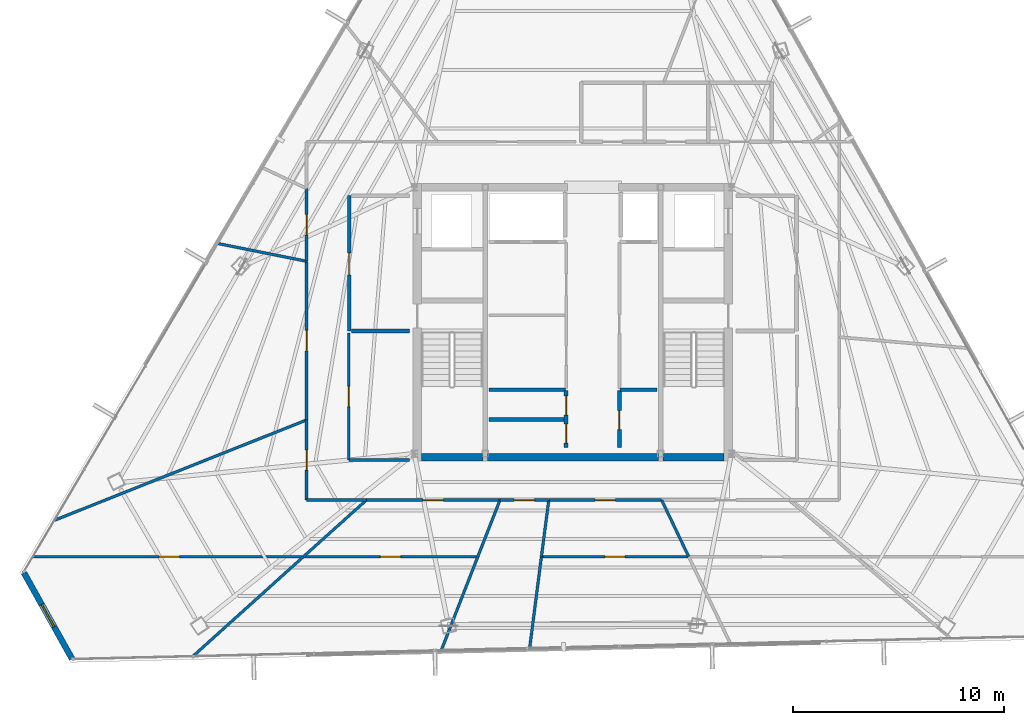
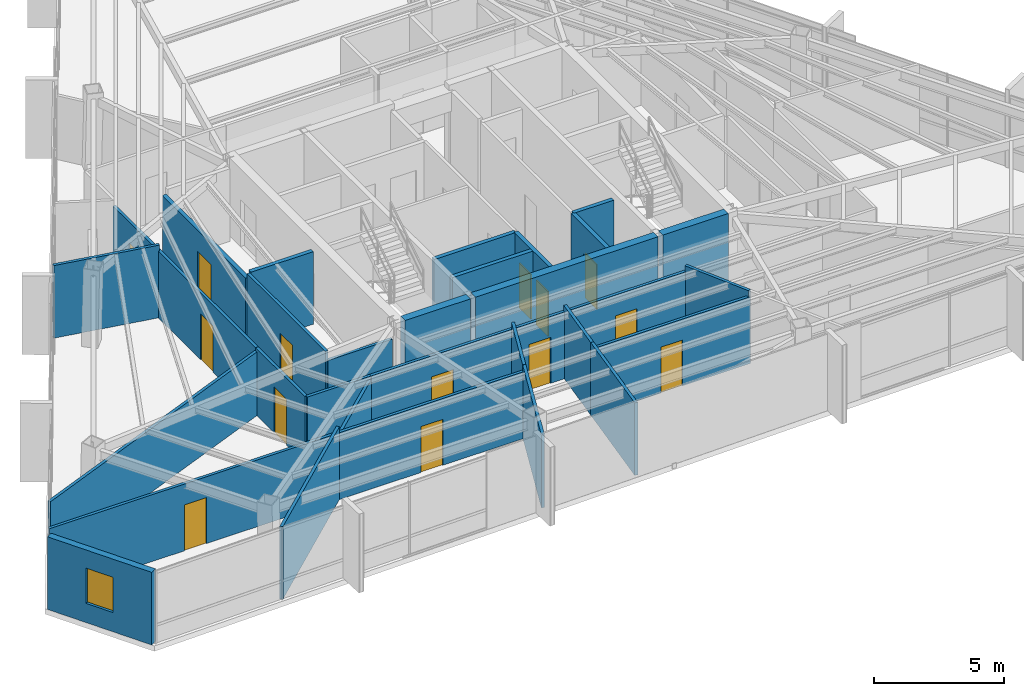
# One storey, part 41 of 46: 32 walls, 14 doors, 1 window, 15 openings.
"""IFC4 building model written with IfcOpenShell, lengths in metres."""

from ifc_helpers import new_model, si_unit, direction, frame, frame_2d, origin, place, context, subcontext, project, spatial, rectangle, extrude, material, layer, layer_set, type_object, element, fill, save


model = new_model("IFC4")

# Units and contexts
model_context = context("Model", 3, precision=1e-05, world=origin(), true_north=direction((0.0, 1.0)))
body_context = subcontext(model_context, "Body", "Model", "MODEL_VIEW")
ifc_project = project(units=[si_unit("LENGTHUNIT", "METRE"), si_unit("AREAUNIT", "SQUARE_METRE"), si_unit("VOLUMEUNIT", "CUBIC_METRE"), si_unit("PLANEANGLEUNIT", "RADIAN"), si_unit("MASSUNIT", "GRAM", prefix="KILO")], contexts=[model_context])

# Site, building, storey
site_placement = place(None, origin())
site = spatial("IfcSite", under=ifc_project, at=site_placement, CompositionType="ELEMENT")
building_placement = place(site_placement, origin())
building = spatial("IfcBuilding", under=site, at=building_placement, Name="Caelisora Broadcast Tower", CompositionType="ELEMENT")
storey_placement = place(building_placement, frame((0.0, 0.0, 251.75)))
storey = spatial("IfcBuildingStorey", under=building, at=storey_placement, Name="L66", CompositionType="ELEMENT", Elevation=251.75)

# Walls
ifc_material_1 = material(Name="Concrete 40 MPa (AS 3600 N40)", Category="concrete")
ifc_layer_1 = layer(ifc_material_1, 0.35009765625, Name="Concrete 40 MPa (AS 3600 N40)")
ifc_layer_set_1 = layer_set([ifc_layer_1], Name="Concrete 40 MPa (AS 3600 N40)")
wall_type_1 = type_object("IfcWallType", Name="CW6", PredefinedType="SHEAR", material=ifc_layer_set_1)
wall_1_placement = place(storey_placement, frame((30.840087890625, 17.22509765625, 0.0), z_axis=(0.0, 0.0, 1.0), x_axis=(1.0, 0.0, 0.0)))
element("IfcWall", 1, at=wall_1_placement, inside=storey, type_object=wall_type_1, Name="L66 core shear wall CW6", PredefinedType="SHEAR", context=body_context, shape_type="SweptSolid", body=[
    extrude(rectangle(XDim=2.89990234375, YDim=0.35009765625, at=frame_2d((1.449951171875, 0.0))), origin(), (0.0, 0.0, 1.0), 3.64990234375),
])
wall_2_placement = place(storey_placement, frame((33.9599609375, 17.22509765625, 0.0), z_axis=(0.0, 0.0, 1.0), x_axis=(1.0, 0.0, 0.0)))
element("IfcWall", 2, at=wall_2_placement, inside=storey, type_object=wall_type_1, Name="L66 core shear wall CW6", PredefinedType="SHEAR", context=body_context, shape_type="SweptSolid", body=[
    extrude(rectangle(XDim=8.080078125, YDim=0.35009765625, at=frame_2d((4.0400390625, 0.0))), origin(), (0.0, 0.0, 1.0), 3.64990234375),
])
wall_3_placement = place(storey_placement, frame((42.260009765625, 17.22509765625, 0.0), z_axis=(0.0, 0.0, 1.0), x_axis=(1.0, 0.0, 0.0)))
element("IfcWall", 3, at=wall_3_placement, inside=storey, type_object=wall_type_1, Name="L66 core shear wall CW6", PredefinedType="SHEAR", context=body_context, shape_type="SweptSolid", body=[
    extrude(rectangle(XDim=2.89990234375, YDim=0.35009765625, at=frame_2d((1.449951171875, 0.0))), origin(), (0.0, 0.0, 1.0), 3.64990234375),
])

# Wall, opening, window
ifc_material_2 = material(Name="Insulated Terracotta Spandrel Wall System", Category="masonry")
ifc_layer_2 = layer(ifc_material_2, 0.280029296875, Name="Insulated Terracotta Spandrel Wall System")
ifc_layer_set_2 = layer_set([ifc_layer_2], Name="Insulated Terracotta Spandrel Wall System")
wall_type_2 = type_object("IfcWallType", Name="EW1", PredefinedType="STANDARD", material=ifc_layer_set_2)
wall_4_placement = place(storey_placement, frame((14.29931640625, 7.69921875, 0.0), z_axis=(0.0, 0.0, 1.0), x_axis=(-0.488106092441, 0.872784304695, 0.0)))
wall_4 = element("IfcWall", 4, at=wall_4_placement, inside=storey, type_object=wall_type_2, Name="L66 exterior envelope wall EW1", PredefinedType="STANDARD", context=body_context, shape_type="SweptSolid", body=[
    extrude(rectangle(XDim=4.650146484375, YDim=0.280029296875, at=frame_2d((2.3251953125, 0.0))), origin(), (0.0, 0.0, 1.0), 3.39990234375),
])
opening_1_placement = place(wall_4_placement, frame((1.72998046875, 0.0, 0.89990234375)))
opening_1 = element("IfcOpeningElement", 5, at=opening_1_placement, cuts=wall_4, Name="Opening W03", PredefinedType="OPENING", context=body_context, shape_type="SweptSolid", body=[
    extrude(rectangle(XDim=1.199951171875, YDim=1.64990234375, at=frame_2d((0.60009765625, 0.824951171875))), frame((0.0, 0.152099609375, 0.0), z_axis=(0.0, -1.0, 0.0), x_axis=(1.0, 0.0, 0.0)), (0.0, 0.0, 1.0), 0.303955078125),
])
ifc_material_3 = material(Name="Double Glazed Corner Vision Window", Category="glass")
window_type = type_object("IfcWindowType", Name="W03", PartitioningType="SINGLE_PANEL", PredefinedType="WINDOW", material=ifc_material_3)
window_placement = place(opening_1_placement, origin())
window = element("IfcWindow", 6, at=window_placement, inside=storey, type_object=window_type, Name="L66 window W03 (L66-WN-CH4)", OverallHeight=1.64990234375, OverallWidth=1.199951171875, PartitioningType="SINGLE_PANEL", PredefinedType="WINDOW", context=body_context, shape_type="SweptSolid", body=[
    extrude(rectangle(XDim=1.199951171875, YDim=1.64990234375, at=frame_2d((0.60009765625, 0.824951171875))), frame((0.0, 0.030029296875, 0.0), z_axis=(0.0, -1.0, 0.0), x_axis=(1.0, 0.0, 0.0)), (0.0, 0.0, 1.0), 0.06005859375),
])
fill(opening_1, window)

# Wall, opening, door
ifc_material_4 = material(Name="Fire-Rated Gypsum Shaft and Compartment Wall", Category="gypsum")
ifc_layer_3 = layer(ifc_material_4, 0.179931640625, Name="Fire-Rated Gypsum Shaft and Compartment Wall")
ifc_layer_set_3 = layer_set([ifc_layer_3], Name="Fire-Rated Gypsum Shaft and Compartment Wall")
wall_type_3 = type_object("IfcWallType", Name="PW2", PredefinedType="PARTITIONING", material=ifc_layer_set_3)
wall_5_placement = place(storey_placement, frame((27.419921875, 23.199951171875, 0.0), z_axis=(0.0, 0.0, 1.0), x_axis=(0.0, 1.0, 0.0)))
wall_5 = element("IfcWall", 7, at=wall_5_placement, inside=storey, type_object=wall_type_3, Name="L66 fire compartment wall PW2", PredefinedType="PARTITIONING", context=body_context, shape_type="SweptSolid", body=[
    extrude(rectangle(XDim=6.400146484375, YDim=0.179931640625, at=frame_2d((3.2001953125, 0.0))), origin(), (0.0, 0.0, 1.0), 3.12890625),
])
opening_2_placement = place(wall_5_placement, frame((2.64990234375, 0.0, 0.0)))
opening_2 = element("IfcOpeningElement", 8, at=opening_2_placement, cuts=wall_5, Name="Opening FD02", PredefinedType="OPENING", context=body_context, shape_type="SweptSolid", body=[
    extrude(rectangle(XDim=1.050048828125, YDim=2.14990234375, at=frame_2d((0.52490234375, 1.074951171875))), frame((0.0, 0.10205078125, 0.0), z_axis=(0.0, -1.0, 0.0), x_axis=(1.0, 0.0, 0.0)), (0.0, 0.0, 1.0), 0.203857421875),
])
ifc_material_5 = material(Name="Single-Leaf Steel Fire Lobby Door", Category="steel")
door_type_1 = type_object("IfcDoorType", Name="FD02", OperationType="NOTDEFINED", PredefinedType="DOOR", material=ifc_material_5)
door_1_placement = place(opening_2_placement, origin())
door_1 = element("IfcDoor", 9, at=door_1_placement, inside=storey, type_object=door_type_1, Name="L66 door FD02 (L66-DR-P01D1)", OperationType="SINGLE_SWING_LEFT", OverallHeight=2.14990234375, OverallWidth=1.050048828125, PredefinedType="DOOR", context=body_context, shape_type="SweptSolid", body=[
    extrude(rectangle(XDim=1.050048828125, YDim=2.14990234375, at=frame_2d((0.52490234375, 1.074951171875))), frame((0.0, 0.02490234375, 0.0), z_axis=(0.0, -1.0, 0.0), x_axis=(1.0, 0.0, 0.0)), (0.0, 0.0, 1.0), 0.050048828125),
])
fill(opening_2, door_1)

# Walls
wall_6_placement = place(storey_placement, frame((27.52001953125, 23.199951171875, 0.0), z_axis=(0.0, 0.0, 1.0), x_axis=(1.0, 0.0, 0.0)))
element("IfcWall", 10, at=wall_6_placement, inside=storey, type_object=wall_type_3, Name="L66 fire compartment wall PW2", PredefinedType="PARTITIONING", context=body_context, shape_type="SweptSolid", body=[
    extrude(rectangle(XDim=2.760009765625, YDim=0.179931640625, at=frame_2d((1.3798828125, 0.0))), origin(), (0.0, 0.0, 1.0), 3.39990234375),
])
wall_7_placement = place(storey_placement, frame((34.02001953125, 20.419921875, 0.0), z_axis=(0.0, 0.0, 1.0), x_axis=(1.0, 0.0, 0.0)))
element("IfcWall", 11, at=wall_7_placement, inside=storey, type_object=wall_type_3, Name="L66 fire compartment wall PW2", PredefinedType="PARTITIONING", context=body_context, shape_type="SweptSolid", body=[
    extrude(rectangle(XDim=3.639892578125, YDim=0.179931640625, at=frame_2d((1.81982421875, 0.0))), origin(), (0.0, 0.0, 1.0), 3.39990234375),
])
wall_8_placement = place(storey_placement, frame((40.219970703125, 20.419921875, 0.0), z_axis=(0.0, 0.0, 1.0), x_axis=(1.0, 0.0, 0.0)))
element("IfcWall", 12, at=wall_8_placement, inside=storey, type_object=wall_type_3, Name="L66 fire compartment wall PW2", PredefinedType="PARTITIONING", context=body_context, shape_type="SweptSolid", body=[
    extrude(rectangle(XDim=1.760009765625, YDim=0.179931640625, at=frame_2d((0.8798828125, 0.0))), origin(), (0.0, 0.0, 1.0), 3.39990234375),
])
wall_9_placement = place(storey_placement, frame((34.02001953125, 19.02001953125, 0.0), z_axis=(0.0, 0.0, 1.0), x_axis=(1.0, 0.0, 0.0)))
element("IfcWall", 13, at=wall_9_placement, inside=storey, type_object=wall_type_3, Name="L66 fire compartment wall PW2", PredefinedType="PARTITIONING", context=body_context, shape_type="SweptSolid", body=[
    extrude(rectangle(XDim=3.580078125, YDim=0.179931640625, at=frame_2d((1.7900390625, 0.0))), origin(), (0.0, 0.0, 1.0), 3.39990234375),
])

# Wall, openings, doors
wall_10_placement = place(storey_placement, frame((37.679931640625, 17.679931640625, 0.0), z_axis=(0.0, 0.0, 1.0), x_axis=(0.0, 1.0, 0.0)))
wall_10 = element("IfcWall", 14, at=wall_10_placement, inside=storey, type_object=wall_type_3, Name="L66 fire compartment wall PW2", PredefinedType="PARTITIONING", context=body_context, shape_type="SweptSolid", body=[
    extrude(rectangle(XDim=2.699951171875, YDim=0.179931640625, at=frame_2d((1.35009765625, 0.0))), origin(), (0.0, 0.0, 1.0), 3.39990234375),
])
opening_3_placement = place(wall_10_placement, frame((0.219970703125, 0.0, 0.0)))
opening_3 = element("IfcOpeningElement", 15, at=opening_3_placement, cuts=wall_10, Name="Opening FD03", PredefinedType="OPENING", context=body_context, shape_type="SweptSolid", body=[
    extrude(rectangle(XDim=0.89990234375, YDim=2.10009765625, at=frame_2d((0.449951171875, 1.050048828125))), frame((0.0, 0.10205078125, 0.0), z_axis=(0.0, -1.0, 0.0), x_axis=(1.0, 0.0, 0.0)), (0.0, 0.0, 1.0), 0.203857421875),
])
opening_4_placement = place(wall_10_placement, frame((1.5400390625, 0.0, 0.0)))
opening_4 = element("IfcOpeningElement", 16, at=opening_4_placement, cuts=wall_10, Name="Opening FD03", PredefinedType="OPENING", context=body_context, shape_type="SweptSolid", body=[
    extrude(rectangle(XDim=0.89990234375, YDim=2.10009765625, at=frame_2d((0.449951171875, 1.050048828125))), frame((0.0, 0.10205078125, 0.0), z_axis=(0.0, -1.0, 0.0), x_axis=(1.0, 0.0, 0.0)), (0.0, 0.0, 1.0), 0.203857421875),
])
ifc_material_6 = material(Name="Single-Leaf Steel Riser Fire Access Door", Category="steel")
door_type_2 = type_object("IfcDoorType", Name="FD03", OperationType="NOTDEFINED", PredefinedType="DOOR", material=ifc_material_6)
door_2_placement = place(opening_3_placement, origin())
door_2 = element("IfcDoor", 17, at=door_2_placement, inside=storey, type_object=door_type_2, Name="L66 door FD03 (L66-DR-P15D1)", OperationType="SINGLE_SWING_RIGHT", OverallHeight=2.10009765625, OverallWidth=0.89990234375, PredefinedType="DOOR", context=body_context, shape_type="SweptSolid", body=[
    extrude(rectangle(XDim=0.89990234375, YDim=2.10009765625, at=frame_2d((0.449951171875, 1.050048828125))), frame((0.0, 0.02490234375, 0.0), z_axis=(0.0, -1.0, 0.0), x_axis=(1.0, 0.0, 0.0)), (0.0, 0.0, 1.0), 0.050048828125),
])
fill(opening_3, door_2)
door_3_placement = place(opening_4_placement, origin())
door_3 = element("IfcDoor", 18, at=door_3_placement, inside=storey, type_object=door_type_2, Name="L66 door FD03 (L66-DR-P15D2)", OperationType="SINGLE_SWING_LEFT", OverallHeight=2.10009765625, OverallWidth=0.89990234375, PredefinedType="DOOR", context=body_context, shape_type="SweptSolid", body=[
    extrude(rectangle(XDim=0.89990234375, YDim=2.10009765625, at=frame_2d((0.449951171875, 1.050048828125))), frame((0.0, 0.02490234375, 0.0), z_axis=(0.0, -1.0, 0.0), x_axis=(1.0, 0.0, 0.0)), (0.0, 0.0, 1.0), 0.050048828125),
])
fill(opening_4, door_3)

# Wall, opening, door
wall_11_placement = place(storey_placement, frame((40.199951171875, 17.679931640625, 0.0), z_axis=(0.0, 0.0, 1.0), x_axis=(0.0, 1.0, 0.0)))
wall_11 = element("IfcWall", 19, at=wall_11_placement, inside=storey, type_object=wall_type_3, Name="L66 fire compartment wall PW2", PredefinedType="PARTITIONING", context=body_context, shape_type="SweptSolid", body=[
    extrude(rectangle(XDim=2.699951171875, YDim=0.179931640625, at=frame_2d((1.35009765625, 0.0))), origin(), (0.0, 0.0, 1.0), 3.39990234375),
])
opening_5_placement = place(wall_11_placement, frame((0.85009765625, 0.0, 0.0)))
opening_5 = element("IfcOpeningElement", 20, at=opening_5_placement, cuts=wall_11, Name="Opening FD03", PredefinedType="OPENING", context=body_context, shape_type="SweptSolid", body=[
    extrude(rectangle(XDim=0.89990234375, YDim=2.10009765625, at=frame_2d((0.449951171875, 1.050048828125))), frame((0.0, 0.10205078125, 0.0), z_axis=(0.0, -1.0, 0.0), x_axis=(1.0, 0.0, 0.0)), (0.0, 0.0, 1.0), 0.203857421875),
])
door_4_placement = place(opening_5_placement, origin())
door_4 = element("IfcDoor", 21, at=door_4_placement, inside=storey, type_object=door_type_2, Name="L66 door FD03 (L66-DR-P16D1)", OperationType="SINGLE_SWING_RIGHT", OverallHeight=2.10009765625, OverallWidth=0.89990234375, PredefinedType="DOOR", context=body_context, shape_type="SweptSolid", body=[
    extrude(rectangle(XDim=0.89990234375, YDim=2.10009765625, at=frame_2d((0.449951171875, 1.050048828125))), frame((0.0, 0.02490234375, 0.0), z_axis=(0.0, -1.0, 0.0), x_axis=(1.0, 0.0, 0.0)), (0.0, 0.0, 1.0), 0.050048828125),
])
fill(opening_5, door_4)

# Wall
ifc_material_7 = material(Name="Acoustic Steel-Stud Plasterboard Partition", Category="gypsum")
ifc_layer_4 = layer(ifc_material_7, 0.1298828125, Name="Acoustic Steel-Stud Plasterboard Partition")
ifc_layer_set_4 = layer_set([ifc_layer_4], Name="Acoustic Steel-Stud Plasterboard Partition")
wall_type_4 = type_object("IfcWallType", Name="PW3", PredefinedType="PARTITIONING", material=ifc_layer_set_4)
wall_12_placement = place(storey_placement, frame((13.458740234375, 14.2392578125, 0.0), z_axis=(0.0, 0.0, 1.0), x_axis=(0.929165812846, 0.369663214613, 0.0)))
element("IfcWall", 22, at=wall_12_placement, inside=storey, type_object=wall_type_4, Name="L66 internal partition PW3", PredefinedType="PARTITIONING", context=body_context, shape_type="SweptSolid", body=[
    extrude(rectangle(XDim=12.84619140625, YDim=0.1298828125, at=frame_2d((6.423095703125, 0.0))), origin(), (0.0, 0.0, 1.0), 2.985107421875),
])

# Wall, opening, door
wall_13_placement = place(storey_placement, frame((12.443603515625, 12.52001953125, 0.0), z_axis=(0.0, 0.0, 1.0), x_axis=(1.0, 0.0, 0.0)))
wall_13 = element("IfcWall", 23, at=wall_13_placement, inside=storey, type_object=wall_type_4, Name="L66 internal partition PW3", PredefinedType="PARTITIONING", context=body_context, shape_type="SweptSolid", body=[
    extrude(rectangle(XDim=12.801513671875, YDim=0.1298828125, at=frame_2d((6.40087890625, 0.0))), origin(), (0.0, 0.0, 1.0), 3.12890625),
])
opening_6_placement = place(wall_13_placement, frame((5.97802734375, 0.0, 0.0)))
opening_6 = element("IfcOpeningElement", 24, at=opening_6_placement, cuts=wall_13, Name="Opening D01", PredefinedType="OPENING", context=body_context, shape_type="SweptSolid", body=[
    extrude(rectangle(XDim=0.9599609375, YDim=2.14990234375, at=frame_2d((0.47998046875, 1.074951171875))), frame((0.0, 0.076904296875, 0.0), z_axis=(0.0, -1.0, 0.0), x_axis=(1.0, 0.0, 0.0)), (0.0, 0.0, 1.0), 0.15380859375),
])
ifc_material_8 = material(Name="Solid-Core Timber Acoustic Office Door", Category="wood")
door_type_3 = type_object("IfcDoorType", Name="D01", OperationType="NOTDEFINED", PredefinedType="DOOR", material=ifc_material_8)
door_5_placement = place(opening_6_placement, origin())
door_5 = element("IfcDoor", 25, at=door_5_placement, inside=storey, type_object=door_type_3, Name="L66 door D01 (L66-DR-P30D1)", OperationType="SINGLE_SWING_RIGHT", OverallHeight=2.14990234375, OverallWidth=0.9599609375, PredefinedType="DOOR", context=body_context, shape_type="SweptSolid", body=[
    extrude(rectangle(XDim=0.9599609375, YDim=2.14990234375, at=frame_2d((0.47998046875, 1.074951171875))), frame((0.0, 0.02490234375, 0.0), z_axis=(0.0, -1.0, 0.0), x_axis=(1.0, 0.0, 0.0)), (0.0, 0.0, 1.0), 0.050048828125),
])
fill(opening_6, door_5)

wall_14_placement = place(storey_placement, frame((25.2548828125, 12.52001953125, 0.0), z_axis=(0.0, 0.0, 1.0), x_axis=(1.0, 0.0, 0.0)))
wall_14 = element("IfcWall", 26, at=wall_14_placement, inside=storey, type_object=wall_type_4, Name="L66 internal partition PW3", PredefinedType="PARTITIONING", context=body_context, shape_type="SweptSolid", body=[
    extrude(rectangle(XDim=8.240234375, YDim=0.1298828125, at=frame_2d((4.1201171875, 0.0))), origin(), (0.0, 0.0, 1.0), 3.12890625),
])
opening_7_placement = place(wall_14_placement, frame((3.639892578125, 0.0, 0.0)))
opening_7 = element("IfcOpeningElement", 27, at=opening_7_placement, cuts=wall_14, Name="Opening D01", PredefinedType="OPENING", context=body_context, shape_type="SweptSolid", body=[
    extrude(rectangle(XDim=0.9599609375, YDim=2.14990234375, at=frame_2d((0.47998046875, 1.074951171875))), frame((0.0, 0.076904296875, 0.0), z_axis=(0.0, -1.0, 0.0), x_axis=(1.0, 0.0, 0.0)), (0.0, 0.0, 1.0), 0.15380859375),
])
door_6_placement = place(opening_7_placement, origin())
door_6 = element("IfcDoor", 28, at=door_6_placement, inside=storey, type_object=door_type_3, Name="L66 door D01 (L66-DR-P36D1)", OperationType="SINGLE_SWING_LEFT", OverallHeight=2.14990234375, OverallWidth=0.9599609375, PredefinedType="DOOR", context=body_context, shape_type="SweptSolid", body=[
    extrude(rectangle(XDim=0.9599609375, YDim=2.14990234375, at=frame_2d((0.47998046875, 1.074951171875))), frame((0.0, 0.02490234375, 0.0), z_axis=(0.0, -1.0, 0.0), x_axis=(1.0, 0.0, 0.0)), (0.0, 0.0, 1.0), 0.050048828125),
])
fill(opening_7, door_6)

wall_15_placement = place(storey_placement, frame((25.39990234375, 18.9951171875, 0.0), z_axis=(0.0, 0.0, 1.0), x_axis=(0.0, 1.0, 0.0)))
wall_15 = element("IfcWall", 29, at=wall_15_placement, inside=storey, type_object=wall_type_4, Name="L66 internal partition PW3", PredefinedType="PARTITIONING", context=body_context, shape_type="SweptSolid", body=[
    extrude(rectangle(XDim=7.5, YDim=0.1298828125, at=frame_2d((3.75, 0.0))), origin(), (0.0, 0.0, 1.0), 3.12890625),
])
opening_8_placement = place(wall_15_placement, frame((3.27001953125, 0.0, 0.0)))
opening_8 = element("IfcOpeningElement", 30, at=opening_8_placement, cuts=wall_15, Name="Opening D01", PredefinedType="OPENING", context=body_context, shape_type="SweptSolid", body=[
    extrude(rectangle(XDim=0.9599609375, YDim=2.14990234375, at=frame_2d((0.47998046875, 1.074951171875))), frame((0.0, 0.076904296875, 0.0), z_axis=(0.0, -1.0, 0.0), x_axis=(1.0, 0.0, 0.0)), (0.0, 0.0, 1.0), 0.15380859375),
])
door_7_placement = place(opening_8_placement, origin())
door_7 = element("IfcDoor", 31, at=door_7_placement, inside=storey, type_object=door_type_3, Name="L66 door D01 (L66-DR-P39D1)", OperationType="SINGLE_SWING_RIGHT", OverallHeight=2.14990234375, OverallWidth=0.9599609375, PredefinedType="DOOR", context=body_context, shape_type="SweptSolid", body=[
    extrude(rectangle(XDim=0.9599609375, YDim=2.14990234375, at=frame_2d((0.47998046875, 1.074951171875))), frame((0.0, 0.02490234375, 0.0), z_axis=(0.0, -1.0, 0.0), x_axis=(1.0, 0.0, 0.0)), (0.0, 0.0, 1.0), 0.050048828125),
])
fill(opening_8, door_7)

# Wall
wall_16_placement = place(storey_placement, frame((20.013427734375, 7.80224609375, 0.0), z_axis=(0.0, 0.0, 1.0), x_axis=(0.742909678025, 0.669391671816, 0.0)))
element("IfcWall", 32, at=wall_16_placement, inside=storey, type_object=wall_type_4, Name="L66 internal partition PW3", PredefinedType="PARTITIONING", context=body_context, shape_type="SweptSolid", body=[
    extrude(rectangle(XDim=7.04345703125, YDim=0.1298828125, at=frame_2d((3.521728515625, 0.0))), origin(), (0.0, 0.0, 1.0), 3.39990234375),
])

# Wall, opening, door
wall_17_placement = place(storey_placement, frame((36.514892578125, 12.52001953125, 0.0), z_axis=(0.0, 0.0, 1.0), x_axis=(1.0, 0.0, 0.0)))
wall_17 = element("IfcWall", 33, at=wall_17_placement, inside=storey, type_object=wall_type_4, Name="L66 internal partition PW3", PredefinedType="PARTITIONING", context=body_context, shape_type="SweptSolid", body=[
    extrude(rectangle(XDim=6.960205078125, YDim=0.1298828125, at=frame_2d((3.47998046875, 0.0))), origin(), (0.0, 0.0, 1.0), 3.12890625),
])
opening_9_placement = place(wall_17_placement, frame((3.0, 0.0, 0.0)))
opening_9 = element("IfcOpeningElement", 34, at=opening_9_placement, cuts=wall_17, Name="Opening D01", PredefinedType="OPENING", context=body_context, shape_type="SweptSolid", body=[
    extrude(rectangle(XDim=0.9599609375, YDim=2.14990234375, at=frame_2d((0.47998046875, 1.074951171875))), frame((0.0, 0.076904296875, 0.0), z_axis=(0.0, -1.0, 0.0), x_axis=(1.0, 0.0, 0.0)), (0.0, 0.0, 1.0), 0.15380859375),
])
door_8_placement = place(opening_9_placement, origin())
door_8 = element("IfcDoor", 35, at=door_8_placement, inside=storey, type_object=door_type_3, Name="L66 door D01 (L66-DR-P42D1)", OperationType="SINGLE_SWING_LEFT", OverallHeight=2.14990234375, OverallWidth=0.9599609375, PredefinedType="DOOR", context=body_context, shape_type="SweptSolid", body=[
    extrude(rectangle(XDim=0.9599609375, YDim=2.14990234375, at=frame_2d((0.47998046875, 1.074951171875))), frame((0.0, 0.02490234375, 0.0), z_axis=(0.0, -1.0, 0.0), x_axis=(1.0, 0.0, 0.0)), (0.0, 0.0, 1.0), 0.050048828125),
])
fill(opening_9, door_8)

wall_18_placement = place(storey_placement, frame((28.235107421875, 15.199951171875, 0.0), z_axis=(0.0, 0.0, 1.0), x_axis=(1.0, 0.0, 0.0)))
wall_18 = element("IfcWall", 36, at=wall_18_placement, inside=storey, type_object=wall_type_4, Name="L66 internal partition PW3", PredefinedType="PARTITIONING", context=body_context, shape_type="SweptSolid", body=[
    extrude(rectangle(XDim=6.309814453125, YDim=0.1298828125, at=frame_2d((3.15478515625, 0.0))), origin(), (0.0, 0.0, 1.0), 3.12890625),
])
opening_10_placement = place(wall_18_placement, frame((2.675048828125, 0.0, 0.0)))
opening_10 = element("IfcOpeningElement", 37, at=opening_10_placement, cuts=wall_18, Name="Opening D01", PredefinedType="OPENING", context=body_context, shape_type="SweptSolid", body=[
    extrude(rectangle(XDim=0.9599609375, YDim=2.14990234375, at=frame_2d((0.47998046875, 1.074951171875))), frame((0.0, 0.076904296875, 0.0), z_axis=(0.0, -1.0, 0.0), x_axis=(1.0, 0.0, 0.0)), (0.0, 0.0, 1.0), 0.15380859375),
])
door_9_placement = place(opening_10_placement, origin())
door_9 = element("IfcDoor", 38, at=door_9_placement, inside=storey, type_object=door_type_3, Name="L66 door D01 (L66-DR-P44D1)", OperationType="SINGLE_SWING_LEFT", OverallHeight=2.14990234375, OverallWidth=0.9599609375, PredefinedType="DOOR", context=body_context, shape_type="SweptSolid", body=[
    extrude(rectangle(XDim=0.9599609375, YDim=2.14990234375, at=frame_2d((0.47998046875, 1.074951171875))), frame((0.0, 0.02490234375, 0.0), z_axis=(0.0, -1.0, 0.0), x_axis=(1.0, 0.0, 0.0)), (0.0, 0.0, 1.0), 0.050048828125),
])
fill(opening_10, door_9)

wall_19_placement = place(storey_placement, frame((27.39990234375, 17.10498046875, 0.0), z_axis=(0.0, 0.0, 1.0), x_axis=(0.0, 1.0, 0.0)))
wall_19 = element("IfcWall", 39, at=wall_19_placement, inside=storey, type_object=wall_type_4, Name="L66 internal partition PW3", PredefinedType="PARTITIONING", context=body_context, shape_type="SweptSolid", body=[
    extrude(rectangle(XDim=6.0, YDim=0.1298828125, at=frame_2d((3.0, 0.0))), origin(), (0.0, 0.0, 1.0), 3.39990234375),
])
opening_11_placement = place(wall_19_placement, frame((2.52001953125, 0.0, 0.0)))
opening_11 = element("IfcOpeningElement", 40, at=opening_11_placement, cuts=wall_19, Name="Opening D01", PredefinedType="OPENING", context=body_context, shape_type="SweptSolid", body=[
    extrude(rectangle(XDim=0.9599609375, YDim=2.14990234375, at=frame_2d((0.47998046875, 1.074951171875))), frame((0.0, 0.076904296875, 0.0), z_axis=(0.0, -1.0, 0.0), x_axis=(1.0, 0.0, 0.0)), (0.0, 0.0, 1.0), 0.15380859375),
])
door_10_placement = place(opening_11_placement, origin())
door_10 = element("IfcDoor", 41, at=door_10_placement, inside=storey, type_object=door_type_3, Name="L66 door D01 (L66-DR-P48D1)", OperationType="SINGLE_SWING_LEFT", OverallHeight=2.14990234375, OverallWidth=0.9599609375, PredefinedType="DOOR", context=body_context, shape_type="SweptSolid", body=[
    extrude(rectangle(XDim=0.9599609375, YDim=2.14990234375, at=frame_2d((0.47998046875, 1.074951171875))), frame((0.0, 0.02490234375, 0.0), z_axis=(0.0, -1.0, 0.0), x_axis=(1.0, 0.0, 0.0)), (0.0, 0.0, 1.0), 0.050048828125),
])
fill(opening_11, door_10)

wall_20_placement = place(storey_placement, frame((36.864990234375, 15.199951171875, 0.0), z_axis=(0.0, 0.0, 1.0), x_axis=(1.0, 0.0, 0.0)))
wall_20 = element("IfcWall", 42, at=wall_20_placement, inside=storey, type_object=wall_type_4, Name="L66 internal partition PW3", PredefinedType="PARTITIONING", context=body_context, shape_type="SweptSolid", body=[
    extrude(rectangle(XDim=5.330078125, YDim=0.1298828125, at=frame_2d((2.6650390625, 0.0))), origin(), (0.0, 0.0, 1.0), 3.12890625),
])
opening_12_placement = place(wall_20_placement, frame((2.18505859375, 0.0, 0.0)))
opening_12 = element("IfcOpeningElement", 43, at=opening_12_placement, cuts=wall_20, Name="Opening D01", PredefinedType="OPENING", context=body_context, shape_type="SweptSolid", body=[
    extrude(rectangle(XDim=0.9599609375, YDim=2.14990234375, at=frame_2d((0.47998046875, 1.074951171875))), frame((0.0, 0.076904296875, 0.0), z_axis=(0.0, -1.0, 0.0), x_axis=(1.0, 0.0, 0.0)), (0.0, 0.0, 1.0), 0.15380859375),
])
door_11_placement = place(opening_12_placement, origin())
door_11 = element("IfcDoor", 44, at=door_11_placement, inside=storey, type_object=door_type_3, Name="L66 door D01 (L66-DR-P51D1)", OperationType="SINGLE_SWING_RIGHT", OverallHeight=2.14990234375, OverallWidth=0.9599609375, PredefinedType="DOOR", context=body_context, shape_type="SweptSolid", body=[
    extrude(rectangle(XDim=0.9599609375, YDim=2.14990234375, at=frame_2d((0.47998046875, 1.074951171875))), frame((0.0, 0.02490234375, 0.0), z_axis=(0.0, -1.0, 0.0), x_axis=(1.0, 0.0, 0.0)), (0.0, 0.0, 1.0), 0.050048828125),
])
fill(opening_12, door_11)

# Walls
wall_21_placement = place(storey_placement, frame((31.7685546875, 8.0791015625, 0.0), z_axis=(0.0, 0.0, 1.0), x_axis=(0.363260262529, 0.931687706083, 0.0)))
element("IfcWall", 45, at=wall_21_placement, inside=storey, type_object=wall_type_4, Name="L66 internal partition PW3", PredefinedType="PARTITIONING", context=body_context, shape_type="SweptSolid", body=[
    extrude(rectangle(XDim=4.760986328125, YDim=0.1298828125, at=frame_2d((2.38037109375, 0.0))), origin(), (0.0, 0.0, 1.0), 3.39990234375),
])
wall_22_placement = place(storey_placement, frame((35.952392578125, 8.177490234375, 0.0), z_axis=(0.0, 0.0, 1.0), x_axis=(0.127291068667, 0.99186540611, 0.0)))
element("IfcWall", 46, at=wall_22_placement, inside=storey, type_object=wall_type_4, Name="L66 internal partition PW3", PredefinedType="PARTITIONING", context=body_context, shape_type="SweptSolid", body=[
    extrude(rectangle(XDim=4.373046875, YDim=0.1298828125, at=frame_2d((2.1865234375, 0.0))), origin(), (0.0, 0.0, 1.0), 3.39990234375),
])
wall_23_placement = place(storey_placement, frame((21.193115234375, 27.33935546875, 0.0), z_axis=(0.0, 0.0, 1.0), x_axis=(0.98067042472, -0.195666854831, 0.0)))
element("IfcWall", 47, at=wall_23_placement, inside=storey, type_object=wall_type_4, Name="L66 internal partition PW3", PredefinedType="PARTITIONING", context=body_context, shape_type="SweptSolid", body=[
    extrude(rectangle(XDim=4.28466796875, YDim=0.1298828125, at=frame_2d((2.142333984375, 0.0))), origin(), (0.0, 0.0, 1.0), 3.39990234375),
])
wall_24_placement = place(storey_placement, frame((25.25390625, 12.52294921875, 0.0), z_axis=(0.0, 0.0, 1.0), x_axis=(0.743403445774, 0.668843267748, 0.0)))
element("IfcWall", 48, at=wall_24_placement, inside=storey, type_object=wall_type_4, Name="L66 internal partition PW3", PredefinedType="PARTITIONING", context=body_context, shape_type="SweptSolid", body=[
    extrude(rectangle(XDim=3.998046875, YDim=0.1298828125, at=frame_2d((1.9990234375, 0.0))), origin(), (0.0, 0.0, 1.0), 2.985107421875),
])

# Wall, opening, door
wall_25_placement = place(storey_placement, frame((25.39990234375, 18.985107421875, 0.0), z_axis=(0.0, 0.0, 1.0), x_axis=(0.0, -1.0, 0.0)))
wall_25 = element("IfcWall", 49, at=wall_25_placement, inside=storey, type_object=wall_type_4, Name="L66 internal partition PW3", PredefinedType="PARTITIONING", context=body_context, shape_type="SweptSolid", body=[
    extrude(rectangle(XDim=3.780029296875, YDim=0.1298828125, at=frame_2d((1.89013671875, 0.0))), origin(), (0.0, 0.0, 1.0), 3.12890625),
])
opening_13_placement = place(wall_25_placement, frame((1.409912109375, 0.0, 0.0)))
opening_13 = element("IfcOpeningElement", 50, at=opening_13_placement, cuts=wall_25, Name="Opening D01", PredefinedType="OPENING", context=body_context, shape_type="SweptSolid", body=[
    extrude(rectangle(XDim=0.9599609375, YDim=2.14990234375, at=frame_2d((0.47998046875, 1.074951171875))), frame((0.0, 0.076904296875, 0.0), z_axis=(0.0, -1.0, 0.0), x_axis=(1.0, 0.0, 0.0)), (0.0, 0.0, 1.0), 0.15380859375),
])
door_12_placement = place(opening_13_placement, origin())
door_12 = element("IfcDoor", 51, at=door_12_placement, inside=storey, type_object=door_type_3, Name="L66 door D01 (L66-DR-P58D1)", OperationType="SINGLE_SWING_LEFT", OverallHeight=2.14990234375, OverallWidth=0.9599609375, PredefinedType="DOOR", context=body_context, shape_type="SweptSolid", body=[
    extrude(rectangle(XDim=0.9599609375, YDim=2.14990234375, at=frame_2d((0.47998046875, 1.074951171875))), frame((0.0, 0.02490234375, 0.0), z_axis=(0.0, -1.0, 0.0), x_axis=(1.0, 0.0, 0.0)), (0.0, 0.0, 1.0), 0.050048828125),
])
fill(opening_13, door_12)

wall_26_placement = place(storey_placement, frame((25.39990234375, 26.5048828125, 0.0), z_axis=(0.0, 0.0, 1.0), x_axis=(0.0, 1.0, 0.0)))
wall_26 = element("IfcWall", 52, at=wall_26_placement, inside=storey, type_object=wall_type_4, Name="L66 internal partition PW3", PredefinedType="PARTITIONING", context=body_context, shape_type="SweptSolid", body=[
    extrude(rectangle(XDim=3.43017578125, YDim=0.1298828125, at=frame_2d((1.715087890625, 0.0))), origin(), (0.0, 0.0, 1.0), 3.12890625),
])
opening_14_placement = place(wall_26_placement, frame((1.235107421875, 0.0, 0.0)))
opening_14 = element("IfcOpeningElement", 53, at=opening_14_placement, cuts=wall_26, Name="Opening D01", PredefinedType="OPENING", context=body_context, shape_type="SweptSolid", body=[
    extrude(rectangle(XDim=0.9599609375, YDim=2.14990234375, at=frame_2d((0.47998046875, 1.074951171875))), frame((0.0, 0.076904296875, 0.0), z_axis=(0.0, -1.0, 0.0), x_axis=(1.0, 0.0, 0.0)), (0.0, 0.0, 1.0), 0.15380859375),
])
door_13_placement = place(opening_14_placement, origin())
door_13 = element("IfcDoor", 54, at=door_13_placement, inside=storey, type_object=door_type_3, Name="L66 door D01 (L66-DR-P59D1)", OperationType="SINGLE_SWING_RIGHT", OverallHeight=2.14990234375, OverallWidth=0.9599609375, PredefinedType="DOOR", context=body_context, shape_type="SweptSolid", body=[
    extrude(rectangle(XDim=0.9599609375, YDim=2.14990234375, at=frame_2d((0.47998046875, 1.074951171875))), frame((0.0, 0.02490234375, 0.0), z_axis=(0.0, -1.0, 0.0), x_axis=(1.0, 0.0, 0.0)), (0.0, 0.0, 1.0), 0.050048828125),
])
fill(opening_14, door_13)

# Walls
wall_27_placement = place(storey_placement, frame((42.201904296875, 15.195068359375, 0.0), z_axis=(0.0, 0.0, 1.0), x_axis=(0.431204440178, -0.902254249517, 0.0)))
element("IfcWall", 55, at=wall_27_placement, inside=storey, type_object=wall_type_4, Name="L66 internal partition PW3", PredefinedType="PARTITIONING", context=body_context, shape_type="SweptSolid", body=[
    extrude(rectangle(XDim=2.95947265625, YDim=0.1298828125, at=frame_2d((1.479736328125, 0.0))), origin(), (0.0, 0.0, 1.0), 3.39990234375),
])
wall_28_placement = place(storey_placement, frame((30.264892578125, 17.10009765625, 0.0), z_axis=(0.0, 0.0, 1.0), x_axis=(-1.0, 0.0, 0.0)))
element("IfcWall", 56, at=wall_28_placement, inside=storey, type_object=wall_type_4, Name="L66 internal partition PW3", PredefinedType="PARTITIONING", context=body_context, shape_type="SweptSolid", body=[
    extrude(rectangle(XDim=2.85986328125, YDim=0.1298828125, at=frame_2d((1.429931640625, 0.0))), origin(), (0.0, 0.0, 1.0), 2.985107421875),
])
wall_29_placement = place(storey_placement, frame((33.501953125, 12.52490234375, 0.0), z_axis=(0.0, 0.0, 1.0), x_axis=(0.364790923887, 0.931089459638, 0.0)))
element("IfcWall", 57, at=wall_29_placement, inside=storey, type_object=wall_type_4, Name="L66 internal partition PW3", PredefinedType="PARTITIONING", context=body_context, shape_type="SweptSolid", body=[
    extrude(rectangle(XDim=2.86767578125, YDim=0.1298828125, at=frame_2d((1.433837890625, 0.0))), origin(), (0.0, 0.0, 1.0), 3.39990234375),
])
wall_30_placement = place(storey_placement, frame((25.405029296875, 15.199951171875, 0.0), z_axis=(0.0, 0.0, 1.0), x_axis=(1.0, 0.0, 0.0)))
element("IfcWall", 58, at=wall_30_placement, inside=storey, type_object=wall_type_4, Name="L66 internal partition PW3", PredefinedType="PARTITIONING", context=body_context, shape_type="SweptSolid", body=[
    extrude(rectangle(XDim=2.820068359375, YDim=0.1298828125, at=frame_2d((1.41015625, 0.0))), origin(), (0.0, 0.0, 1.0), 3.12890625),
])
wall_31_placement = place(storey_placement, frame((36.510986328125, 12.52490234375, 0.0), z_axis=(0.0, 0.0, 1.0), x_axis=(0.129199644138, 0.991618602062, 0.0)))
element("IfcWall", 59, at=wall_31_placement, inside=storey, type_object=wall_type_4, Name="L66 internal partition PW3", PredefinedType="PARTITIONING", context=body_context, shape_type="SweptSolid", body=[
    extrude(rectangle(XDim=2.692626953125, YDim=0.1298828125, at=frame_2d((1.34619140625, 0.0))), origin(), (0.0, 0.0, 1.0), 3.39990234375),
])

# Wall, opening, door
wall_32_placement = place(storey_placement, frame((34.554931640625, 15.199951171875, 0.0), z_axis=(0.0, 0.0, 1.0), x_axis=(1.0, 0.0, 0.0)))
wall_32 = element("IfcWall", 60, at=wall_32_placement, inside=storey, type_object=wall_type_4, Name="L66 internal partition PW3", PredefinedType="PARTITIONING", context=body_context, shape_type="SweptSolid", body=[
    extrude(rectangle(XDim=2.300048828125, YDim=0.1298828125, at=frame_2d((1.14990234375, 0.0))), origin(), (0.0, 0.0, 1.0), 3.12890625),
])
opening_15_placement = place(wall_32_placement, frame((0.669921875, 0.0, 0.0)))
opening_15 = element("IfcOpeningElement", 61, at=opening_15_placement, cuts=wall_32, Name="Opening D01", PredefinedType="OPENING", context=body_context, shape_type="SweptSolid", body=[
    extrude(rectangle(XDim=0.9599609375, YDim=2.14990234375, at=frame_2d((0.47998046875, 1.074951171875))), frame((0.0, 0.076904296875, 0.0), z_axis=(0.0, -1.0, 0.0), x_axis=(1.0, 0.0, 0.0)), (0.0, 0.0, 1.0), 0.15380859375),
])
door_14_placement = place(opening_15_placement, origin())
door_14 = element("IfcDoor", 62, at=door_14_placement, inside=storey, type_object=door_type_3, Name="L66 door D01 (L66-DR-P68D1)", OperationType="SINGLE_SWING_LEFT", OverallHeight=2.14990234375, OverallWidth=0.9599609375, PredefinedType="DOOR", context=body_context, shape_type="SweptSolid", body=[
    extrude(rectangle(XDim=0.9599609375, YDim=2.14990234375, at=frame_2d((0.47998046875, 1.074951171875))), frame((0.0, 0.02490234375, 0.0), z_axis=(0.0, -1.0, 0.0), x_axis=(1.0, 0.0, 0.0)), (0.0, 0.0, 1.0), 0.050048828125),
])
fill(opening_15, door_14)

save(model, "model.ifc")
